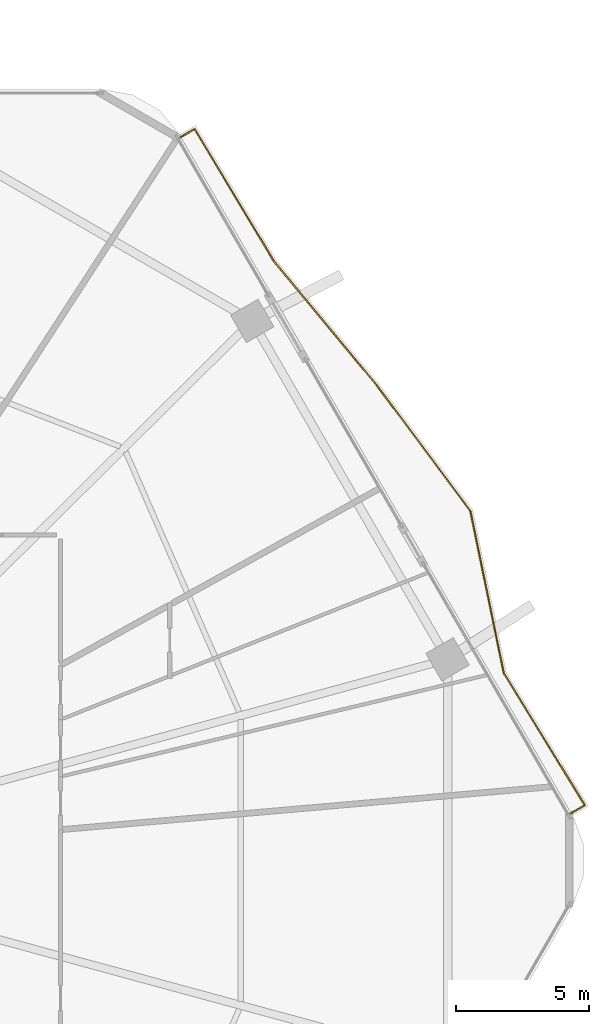
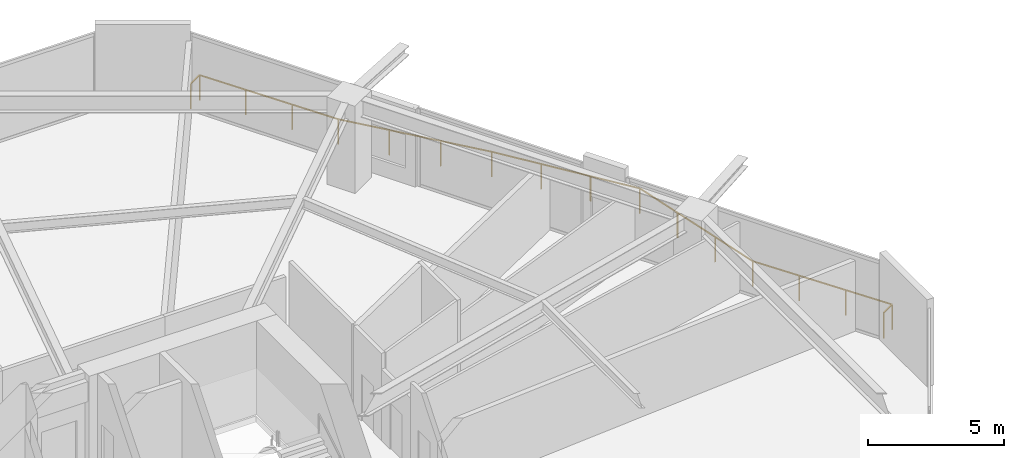
# One storey, part 27 of 27: 1 railing.
"""IFC4 building model written with IfcOpenShell, lengths in metres."""

from ifc_helpers import new_model, si_unit, direction, frame, origin, origin_2d, place, context, subcontext, project, spatial, rectangle, extrude, material, type_object, element, save


model = new_model("IFC4")

# Units and contexts
model_context = context("Model", 3, precision=1e-05, world=origin(), true_north=direction((0.0, 1.0)))
body_context = subcontext(model_context, "Body", "Model", "MODEL_VIEW")
ifc_project = project(units=[si_unit("LENGTHUNIT", "METRE"), si_unit("AREAUNIT", "SQUARE_METRE"), si_unit("VOLUMEUNIT", "CUBIC_METRE"), si_unit("PLANEANGLEUNIT", "RADIAN"), si_unit("MASSUNIT", "GRAM", prefix="KILO")], contexts=[model_context])

# Site, building, storey
site_placement = place(None, origin())
site = spatial("IfcSite", under=ifc_project, at=site_placement, CompositionType="ELEMENT")
building_placement = place(site_placement, origin())
building = spatial("IfcBuilding", under=site, at=building_placement, Name="Zuhravey Tower", CompositionType="ELEMENT")
storey_placement = place(building_placement, frame((0.0, 0.0, 12.0)))
storey = spatial("IfcBuildingStorey", under=building, at=storey_placement, Name="L03", CompositionType="ELEMENT", Elevation=12.0)

# Railing
ifc_material = material(Name="Stainless steel 316 and laminated glass", Category="steel")
railing_type = type_object("IfcRailingType", Name="Balcony & Terrace Guardrail 1150", PredefinedType="BALUSTRADE", material=ifc_material)
railing_placement = place(storey_placement, frame((53.7880859375, 59.27685546875, 0.0)))
element("IfcRailing", 1, at=railing_placement, inside=storey, type_object=railing_type, Name="L03 Face 1 Wave Balcony Guardrail GR1", PredefinedType="BALUSTRADE", context=body_context, shape_type="SweptSolid", body=[
    extrude(rectangle(XDim=0.048095703125, YDim=0.048095703125, at=origin_2d()), frame((0.001708984375, 0.0009765625, 1.1259765625), z_axis=(0.866128586522, 0.499821239653, 0.0), x_axis=(-0.499821239653, 0.866128586522, 0.0)), (0.0, 0.0, 1.0), 0.637939453125),
    extrude(rectangle(XDim=0.048095703125, YDim=0.048095703125, at=origin_2d()), frame((0.556884765625, 0.319091796875, 1.1259765625), z_axis=(0.514618675857, -0.857419161472, 0.0), x_axis=(0.857419161472, 0.514618675857, 0.0)), (0.0, 0.0, 1.0), 5.83740234375),
    extrude(rectangle(XDim=0.048095703125, YDim=0.048095703125, at=origin_2d()), frame((3.563232421875, -4.689208984375, 1.1259765625), z_axis=(0.63888758427, -0.769300107023, 0.0), x_axis=(0.769300107023, 0.63888758427, 0.0)), (0.0, 0.0, 1.0), 6.018310546875),
    extrude(rectangle(XDim=0.048095703125, YDim=0.048095703125, at=origin_2d()), frame((7.410888671875, -9.322509765625, 1.1259765625), z_axis=(0.597079584674, -0.802182005262, 0.0), x_axis=(0.802182005262, 0.597079584674, 0.0)), (0.0, 0.0, 1.0), 5.94287109375),
    extrude(rectangle(XDim=0.048095703125, YDim=0.048095703125, at=origin_2d()), frame((10.9609375, -14.09326171875, 1.1259765625), z_axis=(0.201856998567, -0.979415005056, 0.0), x_axis=(0.979415005056, 0.201856998567, 0.0)), (0.0, 0.0, 1.0), 6.240478515625),
    extrude(rectangle(XDim=0.048095703125, YDim=0.048095703125, at=origin_2d()), frame((12.221923828125, -20.208984375, 1.1259765625), z_axis=(0.523107194448, -0.852266896645, 0.0), x_axis=(0.852266896645, 0.523107194448, 0.0)), (0.0, 0.0, 1.0), 5.844482421875),
    extrude(rectangle(XDim=0.048095703125, YDim=0.048095703125, at=origin_2d()), frame((15.278564453125, -25.192626953125, 1.1259765625), z_axis=(-0.865994143547, -0.500054140411, 0.0), x_axis=(0.500054140411, -0.865994143547, 0.0)), (0.0, 0.0, 1.0), 0.633056640625),
    extrude(rectangle(XDim=0.0419921875, YDim=0.0419921875, at=origin_2d()), origin(), (0.0, 0.0, 1.0), 1.099853515625),
    extrude(rectangle(XDim=0.0419921875, YDim=0.0419921875, at=origin_2d()), frame((0.555908203125, 0.32080078125, 0.0)), (0.0, 0.0, 1.0), 1.099853515625),
    extrude(rectangle(XDim=0.0419921875, YDim=0.0419921875, at=origin_2d()), frame((1.557861328125, -1.3486328125, 0.0)), (0.0, 0.0, 1.0), 1.099853515625),
    extrude(rectangle(XDim=0.0419921875, YDim=0.0419921875, at=origin_2d()), frame((2.56005859375, -3.018310546875, 0.0)), (0.0, 0.0, 1.0), 1.099853515625),
    extrude(rectangle(XDim=0.0419921875, YDim=0.0419921875, at=origin_2d()), frame((3.56201171875, -4.687744140625, 0.0)), (0.0, 0.0, 1.0), 1.099853515625),
    extrude(rectangle(XDim=0.0419921875, YDim=0.0419921875, at=origin_2d()), frame((4.844482421875, -6.232177734375, 0.0)), (0.0, 0.0, 1.0), 1.099853515625),
    extrude(rectangle(XDim=0.0419921875, YDim=0.0419921875, at=origin_2d()), frame((6.127197265625, -7.7763671875, 0.0)), (0.0, 0.0, 1.0), 1.099853515625),
    extrude(rectangle(XDim=0.0419921875, YDim=0.0419921875, at=origin_2d()), frame((7.40966796875, -9.32080078125, 0.0)), (0.0, 0.0, 1.0), 1.099853515625),
    extrude(rectangle(XDim=0.0419921875, YDim=0.0419921875, at=origin_2d()), frame((8.59326171875, -10.910888671875, 0.0)), (0.0, 0.0, 1.0), 1.099853515625),
    extrude(rectangle(XDim=0.0419921875, YDim=0.0419921875, at=origin_2d()), frame((9.77685546875, -12.501220703125, 0.0)), (0.0, 0.0, 1.0), 1.099853515625),
    extrude(rectangle(XDim=0.0419921875, YDim=0.0419921875, at=origin_2d()), frame((10.96044921875, -14.09130859375, 0.0)), (0.0, 0.0, 1.0), 1.099853515625),
    extrude(rectangle(XDim=0.0419921875, YDim=0.0419921875, at=origin_2d()), frame((11.380615234375, -16.1298828125, 0.0)), (0.0, 0.0, 1.0), 1.099853515625),
    extrude(rectangle(XDim=0.0419921875, YDim=0.0419921875, at=origin_2d()), frame((11.80078125, -18.168701171875, 0.0)), (0.0, 0.0, 1.0), 1.099853515625),
    extrude(rectangle(XDim=0.0419921875, YDim=0.0419921875, at=origin_2d()), frame((12.220947265625, -20.207275390625, 0.0)), (0.0, 0.0, 1.0), 1.099853515625),
    extrude(rectangle(XDim=0.0419921875, YDim=0.0419921875, at=origin_2d()), frame((13.24072265625, -21.86865234375, 0.0)), (0.0, 0.0, 1.0), 1.099853515625),
    extrude(rectangle(XDim=0.0419921875, YDim=0.0419921875, at=origin_2d()), frame((14.260498046875, -23.5302734375, 0.0)), (0.0, 0.0, 1.0), 1.099853515625),
    extrude(rectangle(XDim=0.0419921875, YDim=0.0419921875, at=origin_2d()), frame((15.2802734375, -25.191650390625, 0.0)), (0.0, 0.0, 1.0), 1.099853515625),
    extrude(rectangle(XDim=0.0419921875, YDim=0.0419921875, at=origin_2d()), frame((14.728515625, -25.51025390625, 0.0)), (0.0, 0.0, 1.0), 1.099853515625),
])

save(model, "model.ifc")
